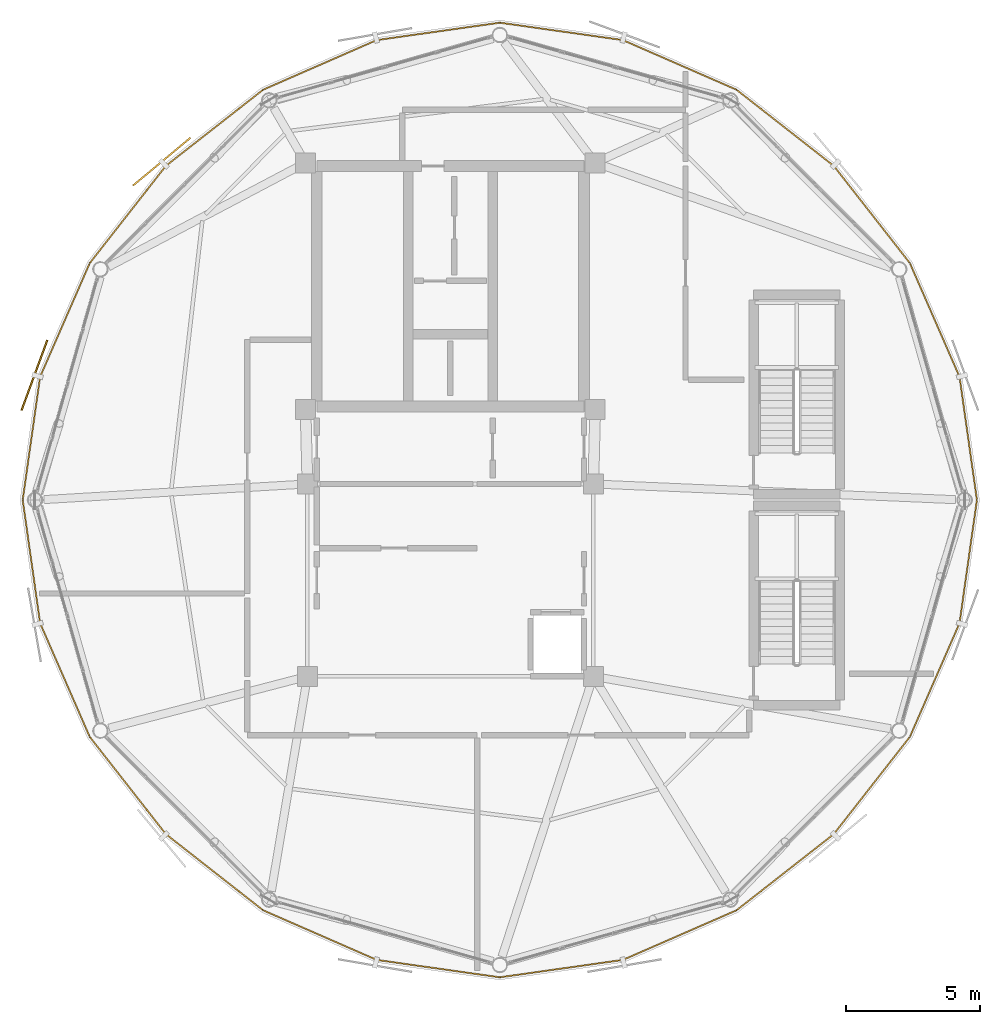
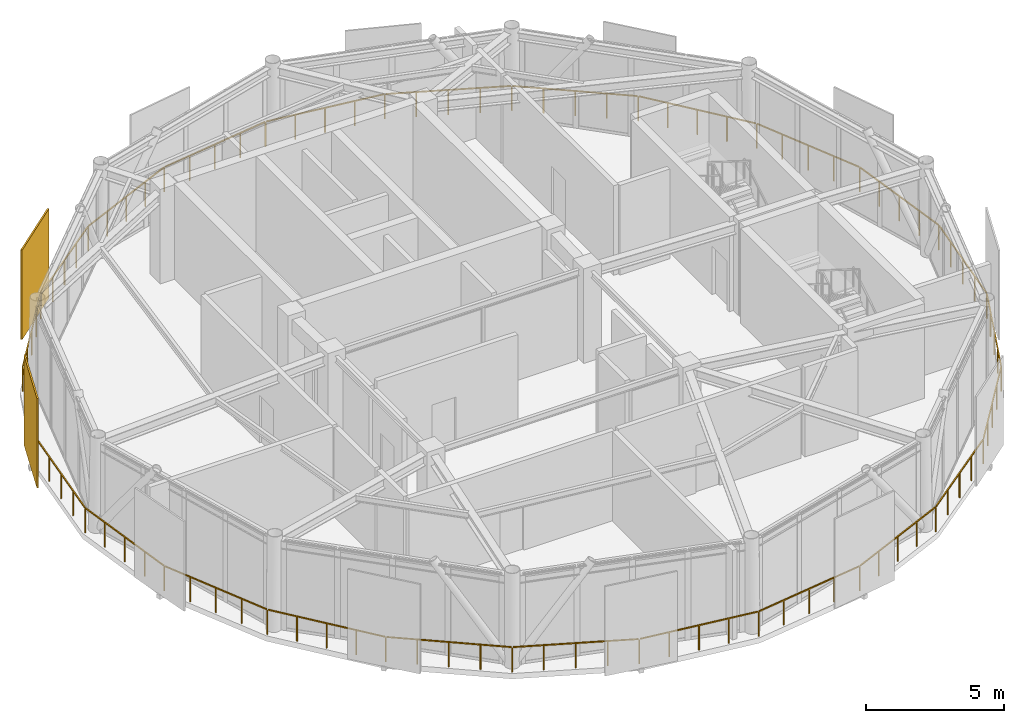
# One storey, part 19 of 20: 2 shading devices, 1 railing.
"""IFC4 building model written with IfcOpenShell, lengths in metres."""

from ifc_helpers import new_model, si_unit, direction, frame, origin, origin_2d, place, context, subcontext, project, spatial, rectangle, extrude, source, transform, mapped, material, type_object, type_shapes, element, save


model = new_model("IFC4")

# Units and contexts
model_context = context("Model", 3, precision=1e-05, world=origin(), true_north=direction((0.0, 1.0)))
body_context = subcontext(model_context, "Body", "Model", "MODEL_VIEW")
ifc_project = project(units=[si_unit("LENGTHUNIT", "METRE"), si_unit("AREAUNIT", "SQUARE_METRE"), si_unit("VOLUMEUNIT", "CUBIC_METRE"), si_unit("PLANEANGLEUNIT", "RADIAN"), si_unit("MASSUNIT", "GRAM", prefix="KILO")], contexts=[model_context])

# Site, building, storey
site_placement = place(None, origin())
site = spatial("IfcSite", under=ifc_project, at=site_placement, CompositionType="ELEMENT")
building_placement = place(site_placement, origin())
building = spatial("IfcBuilding", under=site, at=building_placement, Name="Varnakorn Sky Granary", CompositionType="ELEMENT")
storey_placement = place(building_placement, frame((0.0, 0.0, 306.60009765625)))
storey = spatial("IfcBuildingStorey", under=building, at=storey_placement, Name="L78", CompositionType="ELEMENT", Elevation=306.60009765625)

# Railing
ifc_material = material(Name="Anodised Bronze Aluminium Alloy 6063-T6", Category="aluminium")
railing_type = type_object("IfcRailingType", Name="RL-BAL-1120", PredefinedType="BALUSTRADE", material=ifc_material)
railing_placement = place(storey_placement, frame((22.7060546875, 0.0, 0.0)))
element("IfcRailing", 1, at=railing_placement, inside=storey, type_object=railing_type, Name="Perimeter Slab-Edge Safety Guard L78", PredefinedType="BALUSTRADE", context=body_context, shape_type="SweptSolid", body=[
    extrude(rectangle(XDim=0.048095703125, YDim=0.048095703125, at=origin_2d()), frame((-0.00390625, -0.02783203125, 1.09619140625), z_axis=(-0.139894305644, -0.990166442195, 0.0), x_axis=(0.990166442195, -0.139894305644, 0.0)), (0.0, 0.0, 1.0), 4.60009765625),
    extrude(rectangle(XDim=0.048095703125, YDim=0.048095703125, at=origin_2d()), frame((-0.66259765625, -4.635986328125, 1.09619140625), z_axis=(-0.400183916791, -0.916434849153, 0.0), x_axis=(0.916434849153, -0.400183916791, 0.0)), (0.0, 0.0, 1.0), 4.584228515625),
    extrude(rectangle(XDim=0.048095703125, YDim=0.048095703125, at=origin_2d()), frame((-2.525634765625, -8.884765625, 1.09619140625), z_axis=(-0.616182947029, -0.78760305725, 0.0), x_axis=(0.78760305725, -0.616182947029, 0.0)), (0.0, 0.0, 1.0), 4.567138671875),
    extrude(rectangle(XDim=0.048095703125, YDim=0.048095703125, at=origin_2d()), frame((-5.37890625, -12.521240234375, 1.09619140625), z_axis=(-0.787374594004, -0.616474856517, 0.0), x_axis=(0.616474856517, -0.787374594004, 0.0)), (0.0, 0.0, 1.0), 4.56689453125),
    extrude(rectangle(XDim=0.048095703125, YDim=0.048095703125, at=origin_2d()), frame((-9.0224609375, -15.364990234375, 1.09619140625), z_axis=(-0.916337219159, -0.400407418492, 0.0), x_axis=(0.400407418492, -0.916337219159, 0.0)), (0.0, 0.0, 1.0), 4.582763671875),
    extrude(rectangle(XDim=0.048095703125, YDim=0.048095703125, at=origin_2d()), frame((-13.275390625, -17.215087890625, 1.09619140625), z_axis=(-0.990143684516, -0.140055289132, 0.0), x_axis=(0.140055289132, -0.990143684516, 0.0)), (0.0, 0.0, 1.0), 4.598388671875),
    extrude(rectangle(XDim=0.048095703125, YDim=0.048095703125, at=origin_2d()), frame((-17.8837890625, -17.859130859375, 1.09619140625), z_axis=(-0.990144713369, 0.140048015293, 0.0), x_axis=(-0.140048015293, -0.990144713369, 0.0)), (0.0, 0.0, 1.0), 4.5986328125),
    extrude(rectangle(XDim=0.048095703125, YDim=0.048095703125, at=origin_2d()), frame((-22.490234375, -17.199951171875, 1.09619140625), z_axis=(-0.916337219159, 0.400407418492, 0.0), x_axis=(-0.400407418492, -0.916337219159, 0.0)), (0.0, 0.0, 1.0), 4.582763671875),
    extrude(rectangle(XDim=0.048095703125, YDim=0.048095703125, at=origin_2d()), frame((-26.7373046875, -15.33642578125, 1.09619140625), z_axis=(-0.787354522001, 0.616500492039, 0.0), x_axis=(-0.616500492039, -0.787354522001, 0.0)), (0.0, 0.0, 1.0), 4.566650390625),
    extrude(rectangle(XDim=0.048095703125, YDim=0.048095703125, at=origin_2d()), frame((-30.372314453125, -12.48193359375, 1.09619140625), z_axis=(-0.616215704235, 0.787577428482, 0.0), x_axis=(-0.787577428482, -0.616215704235, 0.0)), (0.0, 0.0, 1.0), 4.567138671875),
    extrude(rectangle(XDim=0.048095703125, YDim=0.048095703125, at=origin_2d()), frame((-33.215087890625, -8.837158203125, 1.09619140625), z_axis=(-0.400139727176, 0.916454144372, 0.0), x_axis=(-0.916454144372, -0.400139727176, 0.0)), (0.0, 0.0, 1.0), 4.583984375),
    extrude(rectangle(XDim=0.048095703125, YDim=0.048095703125, at=origin_2d()), frame((-35.064453125, -4.58251953125, 1.09619140625), z_axis=(-0.139945713067, 0.990159177806, 0.0), x_axis=(-0.990159177806, -0.139945713067, 0.0)), (0.0, 0.0, 1.0), 4.60009765625),
    extrude(rectangle(XDim=0.048095703125, YDim=0.048095703125, at=origin_2d()), frame((-35.708251953125, 0.02783203125, 1.09619140625), z_axis=(0.139945713067, 0.990159177806, 0.0), x_axis=(-0.990159177806, 0.139945713067, 0.0)), (0.0, 0.0, 1.0), 4.60009765625),
    extrude(rectangle(XDim=0.048095703125, YDim=0.048095703125, at=origin_2d()), frame((-35.04931640625, 4.635986328125, 1.09619140625), z_axis=(0.400139727176, 0.916454144372, 0.0), x_axis=(-0.916454144372, 0.400139727176, 0.0)), (0.0, 0.0, 1.0), 4.583984375),
    extrude(rectangle(XDim=0.048095703125, YDim=0.048095703125, at=origin_2d()), frame((-33.1865234375, 8.884765625, 1.09619140625), z_axis=(0.616215704235, 0.787577428482, 0.0), x_axis=(-0.787577428482, 0.616215704235, 0.0)), (0.0, 0.0, 1.0), 4.567138671875),
    extrude(rectangle(XDim=0.048095703125, YDim=0.048095703125, at=origin_2d()), frame((-30.3330078125, 12.521240234375, 1.09619140625), z_axis=(0.787354522001, 0.616500492039, 0.0), x_axis=(-0.616500492039, 0.787354522001, 0.0)), (0.0, 0.0, 1.0), 4.566650390625),
    extrude(rectangle(XDim=0.048095703125, YDim=0.048095703125, at=origin_2d()), frame((-26.689697265625, 15.364990234375, 1.09619140625), z_axis=(0.916337219159, 0.400407418492, 0.0), x_axis=(-0.400407418492, 0.916337219159, 0.0)), (0.0, 0.0, 1.0), 4.582763671875),
    extrude(rectangle(XDim=0.048095703125, YDim=0.048095703125, at=origin_2d()), frame((-22.436767578125, 17.215087890625, 1.09619140625), z_axis=(0.990144713369, 0.140048015293, 0.0), x_axis=(-0.140048015293, 0.990144713369, 0.0)), (0.0, 0.0, 1.0), 4.5986328125),
    extrude(rectangle(XDim=0.048095703125, YDim=0.048095703125, at=origin_2d()), frame((-17.828125, 17.859130859375, 1.09619140625), z_axis=(0.990143684516, -0.140055289132, 0.0), x_axis=(0.140055289132, 0.990143684516, 0.0)), (0.0, 0.0, 1.0), 4.598388671875),
    extrude(rectangle(XDim=0.048095703125, YDim=0.048095703125, at=origin_2d()), frame((-13.221923828125, 17.199951171875, 1.09619140625), z_axis=(0.916337219159, -0.400407418492, 0.0), x_axis=(0.400407418492, 0.916337219159, 0.0)), (0.0, 0.0, 1.0), 4.582763671875),
    extrude(rectangle(XDim=0.048095703125, YDim=0.048095703125, at=origin_2d()), frame((-8.974853515625, 15.33642578125, 1.09619140625), z_axis=(0.787374594004, -0.616474856517, 0.0), x_axis=(0.616474856517, 0.787374594004, 0.0)), (0.0, 0.0, 1.0), 4.56689453125),
    extrude(rectangle(XDim=0.048095703125, YDim=0.048095703125, at=origin_2d()), frame((-5.339599609375, 12.48193359375, 1.09619140625), z_axis=(0.616182947029, -0.78760305725, 0.0), x_axis=(0.78760305725, 0.616182947029, 0.0)), (0.0, 0.0, 1.0), 4.567138671875),
    extrude(rectangle(XDim=0.048095703125, YDim=0.048095703125, at=origin_2d()), frame((-2.4970703125, 8.837158203125, 1.09619140625), z_axis=(0.400183916791, -0.916434849153, 0.0), x_axis=(0.916434849153, 0.400183916791, 0.0)), (0.0, 0.0, 1.0), 4.584228515625),
    extrude(rectangle(XDim=0.048095703125, YDim=0.048095703125, at=origin_2d()), frame((-0.6474609375, 4.58251953125, 1.09619140625), z_axis=(0.139894305644, -0.990166442195, 0.0), x_axis=(0.990166442195, 0.139894305644, 0.0)), (0.0, 0.0, 1.0), 4.60009765625),
    extrude(rectangle(XDim=0.0419921875, YDim=0.0419921875, at=origin_2d()), origin(), (0.0, 0.0, 1.0), 1.068115234375),
    extrude(rectangle(XDim=0.0419921875, YDim=0.0419921875, at=origin_2d()), frame((-0.162841796875, -1.152587890625, 0.0)), (0.0, 0.0, 1.0), 1.068115234375),
    extrude(rectangle(XDim=0.0419921875, YDim=0.0419921875, at=origin_2d()), frame((-0.32568359375, -2.30517578125, 0.0)), (0.0, 0.0, 1.0), 1.068115234375),
    extrude(rectangle(XDim=0.0419921875, YDim=0.0419921875, at=origin_2d()), frame((-0.488525390625, -3.457763671875, 0.0)), (0.0, 0.0, 1.0), 1.068115234375),
    extrude(rectangle(XDim=0.0419921875, YDim=0.0419921875, at=origin_2d()), frame((-0.6513671875, -4.6103515625, 0.0)), (0.0, 0.0, 1.0), 1.068115234375),
    extrude(rectangle(XDim=0.0419921875, YDim=0.0419921875, at=origin_2d()), frame((-1.11572265625, -5.67333984375, 0.0)), (0.0, 0.0, 1.0), 1.068115234375),
    extrude(rectangle(XDim=0.0419921875, YDim=0.0419921875, at=origin_2d()), frame((-1.579833984375, -6.736572265625, 0.0)), (0.0, 0.0, 1.0), 1.068115234375),
    extrude(rectangle(XDim=0.0419921875, YDim=0.0419921875, at=origin_2d()), frame((-2.0439453125, -7.7998046875, 0.0)), (0.0, 0.0, 1.0), 1.068115234375),
    extrude(rectangle(XDim=0.0419921875, YDim=0.0419921875, at=origin_2d()), frame((-2.50830078125, -8.86279296875, 0.0)), (0.0, 0.0, 1.0), 1.068115234375),
    extrude(rectangle(XDim=0.0419921875, YDim=0.0419921875, at=origin_2d()), frame((-3.220458984375, -9.77294921875, 0.0)), (0.0, 0.0, 1.0), 1.068115234375),
    extrude(rectangle(XDim=0.0419921875, YDim=0.0419921875, at=origin_2d()), frame((-3.9326171875, -10.683349609375, 0.0)), (0.0, 0.0, 1.0), 1.068115234375),
    extrude(rectangle(XDim=0.0419921875, YDim=0.0419921875, at=origin_2d()), frame((-4.644775390625, -11.59375, 0.0)), (0.0, 0.0, 1.0), 1.068115234375),
    extrude(rectangle(XDim=0.0419921875, YDim=0.0419921875, at=origin_2d()), frame((-5.35693359375, -12.50390625, 0.0)), (0.0, 0.0, 1.0), 1.068115234375),
    extrude(rectangle(XDim=0.0419921875, YDim=0.0419921875, at=origin_2d()), frame((-6.266845703125, -13.21630859375, 0.0)), (0.0, 0.0, 1.0), 1.068115234375),
    extrude(rectangle(XDim=0.0419921875, YDim=0.0419921875, at=origin_2d()), frame((-7.1767578125, -13.9287109375, 0.0)), (0.0, 0.0, 1.0), 1.068115234375),
    extrude(rectangle(XDim=0.0419921875, YDim=0.0419921875, at=origin_2d()), frame((-8.0869140625, -14.641357421875, 0.0)), (0.0, 0.0, 1.0), 1.068115234375),
    extrude(rectangle(XDim=0.0419921875, YDim=0.0419921875, at=origin_2d()), frame((-8.996826171875, -15.353759765625, 0.0)), (0.0, 0.0, 1.0), 1.068115234375),
    extrude(rectangle(XDim=0.0419921875, YDim=0.0419921875, at=origin_2d()), frame((-10.0595703125, -15.818115234375, 0.0)), (0.0, 0.0, 1.0), 1.068115234375),
    extrude(rectangle(XDim=0.0419921875, YDim=0.0419921875, at=origin_2d()), frame((-11.1220703125, -16.282470703125, 0.0)), (0.0, 0.0, 1.0), 1.068115234375),
    extrude(rectangle(XDim=0.0419921875, YDim=0.0419921875, at=origin_2d()), frame((-12.184814453125, -16.746826171875, 0.0)), (0.0, 0.0, 1.0), 1.068115234375),
    extrude(rectangle(XDim=0.0419921875, YDim=0.0419921875, at=origin_2d()), frame((-13.24755859375, -17.211181640625, 0.0)), (0.0, 0.0, 1.0), 1.068115234375),
    extrude(rectangle(XDim=0.0419921875, YDim=0.0419921875, at=origin_2d()), frame((-14.399658203125, -17.3740234375, 0.0)), (0.0, 0.0, 1.0), 1.068115234375),
    extrude(rectangle(XDim=0.0419921875, YDim=0.0419921875, at=origin_2d()), frame((-15.5517578125, -17.537109375, 0.0)), (0.0, 0.0, 1.0), 1.068115234375),
    extrude(rectangle(XDim=0.0419921875, YDim=0.0419921875, at=origin_2d()), frame((-16.703857421875, -17.7001953125, 0.0)), (0.0, 0.0, 1.0), 1.068115234375),
    extrude(rectangle(XDim=0.0419921875, YDim=0.0419921875, at=origin_2d()), frame((-17.85595703125, -17.863037109375, 0.0)), (0.0, 0.0, 1.0), 1.068115234375),
    extrude(rectangle(XDim=0.0419921875, YDim=0.0419921875, at=origin_2d()), frame((-19.008056640625, -17.7001953125, 0.0)), (0.0, 0.0, 1.0), 1.068115234375),
    extrude(rectangle(XDim=0.0419921875, YDim=0.0419921875, at=origin_2d()), frame((-20.16015625, -17.537109375, 0.0)), (0.0, 0.0, 1.0), 1.068115234375),
    extrude(rectangle(XDim=0.0419921875, YDim=0.0419921875, at=origin_2d()), frame((-21.3125, -17.3740234375, 0.0)), (0.0, 0.0, 1.0), 1.068115234375),
    extrude(rectangle(XDim=0.0419921875, YDim=0.0419921875, at=origin_2d()), frame((-22.464599609375, -17.211181640625, 0.0)), (0.0, 0.0, 1.0), 1.068115234375),
    extrude(rectangle(XDim=0.0419921875, YDim=0.0419921875, at=origin_2d()), frame((-23.52734375, -16.746826171875, 0.0)), (0.0, 0.0, 1.0), 1.068115234375),
    extrude(rectangle(XDim=0.0419921875, YDim=0.0419921875, at=origin_2d()), frame((-24.58984375, -16.282470703125, 0.0)), (0.0, 0.0, 1.0), 1.068115234375),
    extrude(rectangle(XDim=0.0419921875, YDim=0.0419921875, at=origin_2d()), frame((-25.652587890625, -15.818115234375, 0.0)), (0.0, 0.0, 1.0), 1.068115234375),
    extrude(rectangle(XDim=0.0419921875, YDim=0.0419921875, at=origin_2d()), frame((-26.71533203125, -15.353759765625, 0.0)), (0.0, 0.0, 1.0), 1.068115234375),
    extrude(rectangle(XDim=0.0419921875, YDim=0.0419921875, at=origin_2d()), frame((-27.625244140625, -14.641357421875, 0.0)), (0.0, 0.0, 1.0), 1.068115234375),
    extrude(rectangle(XDim=0.0419921875, YDim=0.0419921875, at=origin_2d()), frame((-28.53515625, -13.9287109375, 0.0)), (0.0, 0.0, 1.0), 1.068115234375),
    extrude(rectangle(XDim=0.0419921875, YDim=0.0419921875, at=origin_2d()), frame((-29.445068359375, -13.21630859375, 0.0)), (0.0, 0.0, 1.0), 1.068115234375),
    extrude(rectangle(XDim=0.0419921875, YDim=0.0419921875, at=origin_2d()), frame((-30.35498046875, -12.50390625, 0.0)), (0.0, 0.0, 1.0), 1.068115234375),
    extrude(rectangle(XDim=0.0419921875, YDim=0.0419921875, at=origin_2d()), frame((-31.067138671875, -11.59375, 0.0)), (0.0, 0.0, 1.0), 1.068115234375),
    extrude(rectangle(XDim=0.0419921875, YDim=0.0419921875, at=origin_2d()), frame((-31.779296875, -10.683349609375, 0.0)), (0.0, 0.0, 1.0), 1.068115234375),
    extrude(rectangle(XDim=0.0419921875, YDim=0.0419921875, at=origin_2d()), frame((-32.49169921875, -9.77294921875, 0.0)), (0.0, 0.0, 1.0), 1.068115234375),
    extrude(rectangle(XDim=0.0419921875, YDim=0.0419921875, at=origin_2d()), frame((-33.203857421875, -8.86279296875, 0.0)), (0.0, 0.0, 1.0), 1.068115234375),
    extrude(rectangle(XDim=0.0419921875, YDim=0.0419921875, at=origin_2d()), frame((-33.66796875, -7.7998046875, 0.0)), (0.0, 0.0, 1.0), 1.068115234375),
    extrude(rectangle(XDim=0.0419921875, YDim=0.0419921875, at=origin_2d()), frame((-34.13232421875, -6.736572265625, 0.0)), (0.0, 0.0, 1.0), 1.068115234375),
    extrude(rectangle(XDim=0.0419921875, YDim=0.0419921875, at=origin_2d()), frame((-34.596435546875, -5.67333984375, 0.0)), (0.0, 0.0, 1.0), 1.068115234375),
    extrude(rectangle(XDim=0.0419921875, YDim=0.0419921875, at=origin_2d()), frame((-35.060546875, -4.6103515625, 0.0)), (0.0, 0.0, 1.0), 1.068115234375),
    extrude(rectangle(XDim=0.0419921875, YDim=0.0419921875, at=origin_2d()), frame((-35.223388671875, -3.457763671875, 0.0)), (0.0, 0.0, 1.0), 1.068115234375),
    extrude(rectangle(XDim=0.0419921875, YDim=0.0419921875, at=origin_2d()), frame((-35.38623046875, -2.30517578125, 0.0)), (0.0, 0.0, 1.0), 1.068115234375),
    extrude(rectangle(XDim=0.0419921875, YDim=0.0419921875, at=origin_2d()), frame((-35.54931640625, -1.152587890625, 0.0)), (0.0, 0.0, 1.0), 1.068115234375),
    extrude(rectangle(XDim=0.0419921875, YDim=0.0419921875, at=origin_2d()), frame((-35.712158203125, 0.0, 0.0)), (0.0, 0.0, 1.0), 1.068115234375),
    extrude(rectangle(XDim=0.0419921875, YDim=0.0419921875, at=origin_2d()), frame((-35.54931640625, 1.152587890625, 0.0)), (0.0, 0.0, 1.0), 1.068115234375),
    extrude(rectangle(XDim=0.0419921875, YDim=0.0419921875, at=origin_2d()), frame((-35.38623046875, 2.30517578125, 0.0)), (0.0, 0.0, 1.0), 1.068115234375),
    extrude(rectangle(XDim=0.0419921875, YDim=0.0419921875, at=origin_2d()), frame((-35.223388671875, 3.457763671875, 0.0)), (0.0, 0.0, 1.0), 1.068115234375),
    extrude(rectangle(XDim=0.0419921875, YDim=0.0419921875, at=origin_2d()), frame((-35.060546875, 4.6103515625, 0.0)), (0.0, 0.0, 1.0), 1.068115234375),
    extrude(rectangle(XDim=0.0419921875, YDim=0.0419921875, at=origin_2d()), frame((-34.596435546875, 5.67333984375, 0.0)), (0.0, 0.0, 1.0), 1.068115234375),
    extrude(rectangle(XDim=0.0419921875, YDim=0.0419921875, at=origin_2d()), frame((-34.13232421875, 6.736572265625, 0.0)), (0.0, 0.0, 1.0), 1.068115234375),
    extrude(rectangle(XDim=0.0419921875, YDim=0.0419921875, at=origin_2d()), frame((-33.66796875, 7.7998046875, 0.0)), (0.0, 0.0, 1.0), 1.068115234375),
    extrude(rectangle(XDim=0.0419921875, YDim=0.0419921875, at=origin_2d()), frame((-33.203857421875, 8.86279296875, 0.0)), (0.0, 0.0, 1.0), 1.068115234375),
    extrude(rectangle(XDim=0.0419921875, YDim=0.0419921875, at=origin_2d()), frame((-32.49169921875, 9.77294921875, 0.0)), (0.0, 0.0, 1.0), 1.068115234375),
    extrude(rectangle(XDim=0.0419921875, YDim=0.0419921875, at=origin_2d()), frame((-31.779296875, 10.683349609375, 0.0)), (0.0, 0.0, 1.0), 1.068115234375),
    extrude(rectangle(XDim=0.0419921875, YDim=0.0419921875, at=origin_2d()), frame((-31.067138671875, 11.59375, 0.0)), (0.0, 0.0, 1.0), 1.068115234375),
    extrude(rectangle(XDim=0.0419921875, YDim=0.0419921875, at=origin_2d()), frame((-30.35498046875, 12.50390625, 0.0)), (0.0, 0.0, 1.0), 1.068115234375),
    extrude(rectangle(XDim=0.0419921875, YDim=0.0419921875, at=origin_2d()), frame((-29.445068359375, 13.21630859375, 0.0)), (0.0, 0.0, 1.0), 1.068115234375),
    extrude(rectangle(XDim=0.0419921875, YDim=0.0419921875, at=origin_2d()), frame((-28.53515625, 13.9287109375, 0.0)), (0.0, 0.0, 1.0), 1.068115234375),
    extrude(rectangle(XDim=0.0419921875, YDim=0.0419921875, at=origin_2d()), frame((-27.625244140625, 14.641357421875, 0.0)), (0.0, 0.0, 1.0), 1.068115234375),
    extrude(rectangle(XDim=0.0419921875, YDim=0.0419921875, at=origin_2d()), frame((-26.71533203125, 15.353759765625, 0.0)), (0.0, 0.0, 1.0), 1.068115234375),
    extrude(rectangle(XDim=0.0419921875, YDim=0.0419921875, at=origin_2d()), frame((-25.652587890625, 15.818115234375, 0.0)), (0.0, 0.0, 1.0), 1.068115234375),
    extrude(rectangle(XDim=0.0419921875, YDim=0.0419921875, at=origin_2d()), frame((-24.58984375, 16.282470703125, 0.0)), (0.0, 0.0, 1.0), 1.068115234375),
    extrude(rectangle(XDim=0.0419921875, YDim=0.0419921875, at=origin_2d()), frame((-23.52734375, 16.746826171875, 0.0)), (0.0, 0.0, 1.0), 1.068115234375),
    extrude(rectangle(XDim=0.0419921875, YDim=0.0419921875, at=origin_2d()), frame((-22.464599609375, 17.211181640625, 0.0)), (0.0, 0.0, 1.0), 1.068115234375),
    extrude(rectangle(XDim=0.0419921875, YDim=0.0419921875, at=origin_2d()), frame((-21.3125, 17.3740234375, 0.0)), (0.0, 0.0, 1.0), 1.068115234375),
    extrude(rectangle(XDim=0.0419921875, YDim=0.0419921875, at=origin_2d()), frame((-20.16015625, 17.537109375, 0.0)), (0.0, 0.0, 1.0), 1.068115234375),
    extrude(rectangle(XDim=0.0419921875, YDim=0.0419921875, at=origin_2d()), frame((-19.008056640625, 17.7001953125, 0.0)), (0.0, 0.0, 1.0), 1.068115234375),
    extrude(rectangle(XDim=0.0419921875, YDim=0.0419921875, at=origin_2d()), frame((-17.85595703125, 17.863037109375, 0.0)), (0.0, 0.0, 1.0), 1.068115234375),
    extrude(rectangle(XDim=0.0419921875, YDim=0.0419921875, at=origin_2d()), frame((-16.703857421875, 17.7001953125, 0.0)), (0.0, 0.0, 1.0), 1.068115234375),
    extrude(rectangle(XDim=0.0419921875, YDim=0.0419921875, at=origin_2d()), frame((-15.5517578125, 17.537109375, 0.0)), (0.0, 0.0, 1.0), 1.068115234375),
    extrude(rectangle(XDim=0.0419921875, YDim=0.0419921875, at=origin_2d()), frame((-14.399658203125, 17.3740234375, 0.0)), (0.0, 0.0, 1.0), 1.068115234375),
    extrude(rectangle(XDim=0.0419921875, YDim=0.0419921875, at=origin_2d()), frame((-13.24755859375, 17.211181640625, 0.0)), (0.0, 0.0, 1.0), 1.068115234375),
    extrude(rectangle(XDim=0.0419921875, YDim=0.0419921875, at=origin_2d()), frame((-12.184814453125, 16.746826171875, 0.0)), (0.0, 0.0, 1.0), 1.068115234375),
    extrude(rectangle(XDim=0.0419921875, YDim=0.0419921875, at=origin_2d()), frame((-11.1220703125, 16.282470703125, 0.0)), (0.0, 0.0, 1.0), 1.068115234375),
    extrude(rectangle(XDim=0.0419921875, YDim=0.0419921875, at=origin_2d()), frame((-10.0595703125, 15.818115234375, 0.0)), (0.0, 0.0, 1.0), 1.068115234375),
    extrude(rectangle(XDim=0.0419921875, YDim=0.0419921875, at=origin_2d()), frame((-8.996826171875, 15.353759765625, 0.0)), (0.0, 0.0, 1.0), 1.068115234375),
    extrude(rectangle(XDim=0.0419921875, YDim=0.0419921875, at=origin_2d()), frame((-8.0869140625, 14.641357421875, 0.0)), (0.0, 0.0, 1.0), 1.068115234375),
    extrude(rectangle(XDim=0.0419921875, YDim=0.0419921875, at=origin_2d()), frame((-7.1767578125, 13.9287109375, 0.0)), (0.0, 0.0, 1.0), 1.068115234375),
    extrude(rectangle(XDim=0.0419921875, YDim=0.0419921875, at=origin_2d()), frame((-6.266845703125, 13.21630859375, 0.0)), (0.0, 0.0, 1.0), 1.068115234375),
    extrude(rectangle(XDim=0.0419921875, YDim=0.0419921875, at=origin_2d()), frame((-5.35693359375, 12.50390625, 0.0)), (0.0, 0.0, 1.0), 1.068115234375),
    extrude(rectangle(XDim=0.0419921875, YDim=0.0419921875, at=origin_2d()), frame((-4.644775390625, 11.59375, 0.0)), (0.0, 0.0, 1.0), 1.068115234375),
    extrude(rectangle(XDim=0.0419921875, YDim=0.0419921875, at=origin_2d()), frame((-3.9326171875, 10.683349609375, 0.0)), (0.0, 0.0, 1.0), 1.068115234375),
    extrude(rectangle(XDim=0.0419921875, YDim=0.0419921875, at=origin_2d()), frame((-3.220458984375, 9.77294921875, 0.0)), (0.0, 0.0, 1.0), 1.068115234375),
    extrude(rectangle(XDim=0.0419921875, YDim=0.0419921875, at=origin_2d()), frame((-2.50830078125, 8.86279296875, 0.0)), (0.0, 0.0, 1.0), 1.068115234375),
    extrude(rectangle(XDim=0.0419921875, YDim=0.0419921875, at=origin_2d()), frame((-2.0439453125, 7.7998046875, 0.0)), (0.0, 0.0, 1.0), 1.068115234375),
    extrude(rectangle(XDim=0.0419921875, YDim=0.0419921875, at=origin_2d()), frame((-1.579833984375, 6.736572265625, 0.0)), (0.0, 0.0, 1.0), 1.068115234375),
    extrude(rectangle(XDim=0.0419921875, YDim=0.0419921875, at=origin_2d()), frame((-1.11572265625, 5.67333984375, 0.0)), (0.0, 0.0, 1.0), 1.068115234375),
    extrude(rectangle(XDim=0.0419921875, YDim=0.0419921875, at=origin_2d()), frame((-0.6513671875, 4.6103515625, 0.0)), (0.0, 0.0, 1.0), 1.068115234375),
    extrude(rectangle(XDim=0.0419921875, YDim=0.0419921875, at=origin_2d()), frame((-0.488525390625, 3.457763671875, 0.0)), (0.0, 0.0, 1.0), 1.068115234375),
    extrude(rectangle(XDim=0.0419921875, YDim=0.0419921875, at=origin_2d()), frame((-0.32568359375, 2.30517578125, 0.0)), (0.0, 0.0, 1.0), 1.068115234375),
    extrude(rectangle(XDim=0.0419921875, YDim=0.0419921875, at=origin_2d()), frame((-0.162841796875, 1.152587890625, 0.0)), (0.0, 0.0, 1.0), 1.068115234375),
])

# Shading devices
shading_device_type = type_object("IfcShadingDeviceType", Name="SH-SCR-03", PredefinedType="USERDEFINED", material=ifc_material)
shared_shape = source(origin(), body_context, "Body", "SweptSolid", [
    extrude(rectangle(XDim=2.800048828125, YDim=0.06494140625, at=origin_2d()), origin(), (0.0, 0.0, 1.0), 3.9599609375),
])
type_shapes(shading_device_type, [shared_shape])
for number, where, z_axis, x_axis, name in (
    (2, (-7.80517578125, 12.659912109375, -0.0400390625), (0.0, 0.0, 1.0), (-0.76896726926, -0.639288150059, 0.0), "Perforated Bronze Solar Screen Panel SCREEN L78-05"),
    (3, (-12.567626953125, 4.668701171875, -0.0400390625), (0.0, 0.0, 1.0), (-0.346207653221, -0.938157908271, 0.0), "Perforated Bronze Solar Screen Panel SCREEN L78-06"),
):
    element("IfcShadingDevice", number, at=place(storey_placement, frame(where, z_axis=z_axis, x_axis=x_axis)), inside=storey, type_object=shading_device_type, Name=name, ObjectType="SCREEN", PredefinedType="USERDEFINED", context=body_context, shape_type="MappedRepresentation", body=[
        mapped(shared_shape, transform((0.0, 0.0, 0.0), x_axis=(1.0, 0.0, 0.0), y_axis=(0.0, 1.0, 0.0), z_axis=(0.0, 0.0, 1.0), scale=1.0)),
    ])

save(model, "model.ifc")
